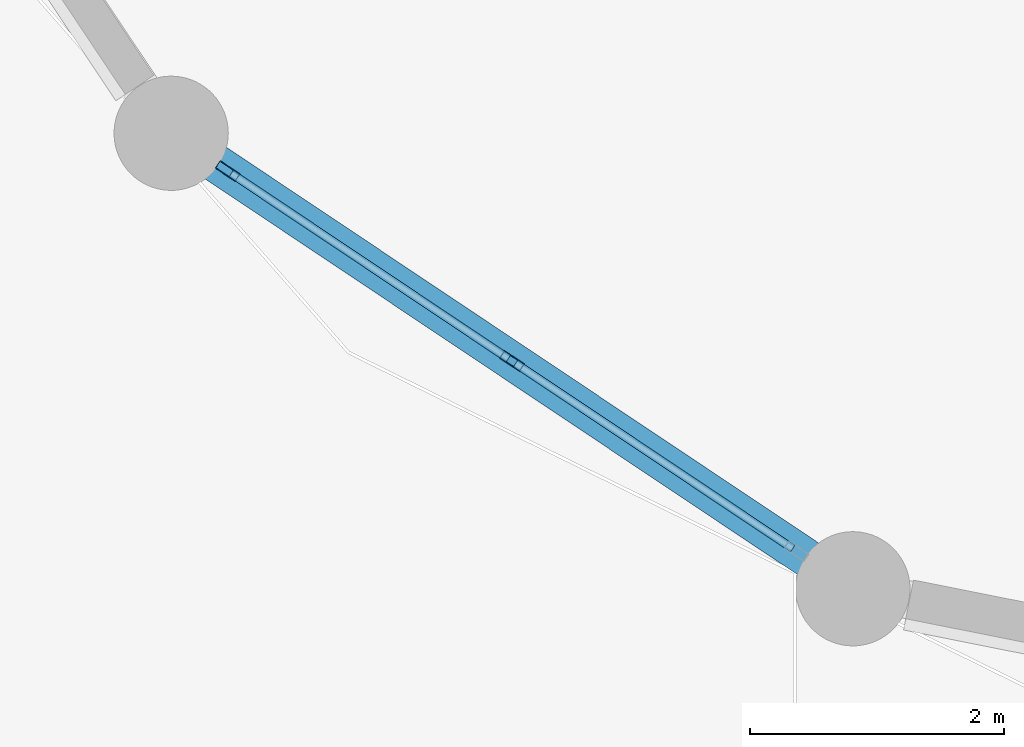
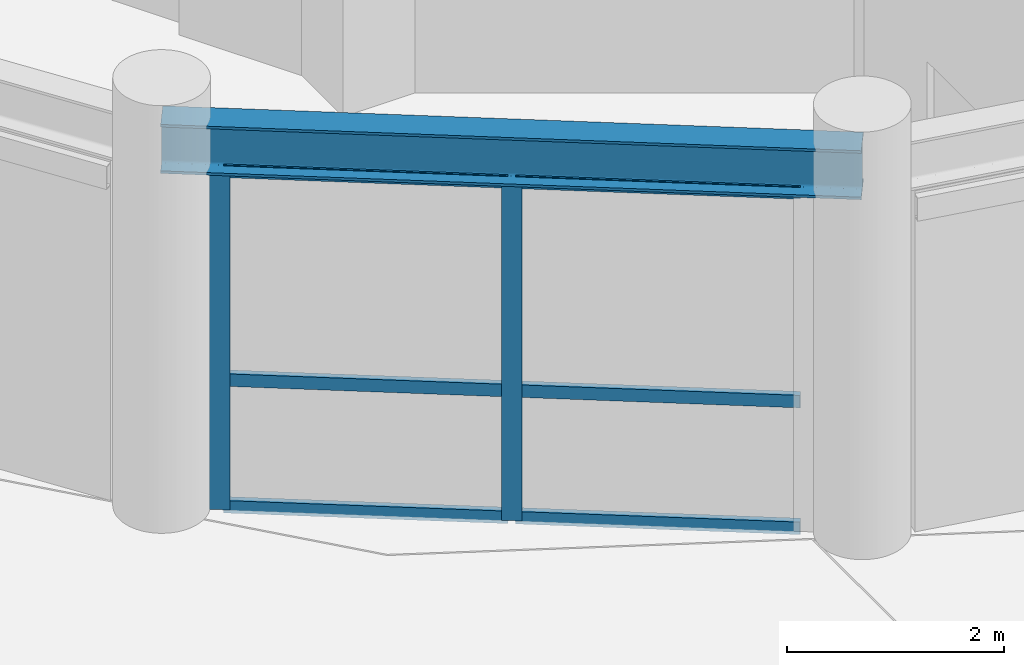
# One storey, part 11 of 40: 8 members, 1 beam, 1 element without a shape of its own.
"""IFC4 building model written with IfcOpenShell, lengths in metres."""

import ifcopenshell
import ifcopenshell.guid

model = None  # the IFC model being written
_history = None  # IfcOwnerHistory: only IFC2X3 demands one
_inside = {}  # id of a spatial element -> (the spatial element, [elements in it])
_under = {}  # id of a project, library or spatial element -> (it, [spatial elements below it])
_declared = {}  # id of a project -> (the project, [libraries it declares])
_typed = {}  # id of a type object -> (the type object, [elements of that type])
_made_of = {}  # id of a material, layer set ... -> (it, [elements and type objects made of it])


def new_model(schema):
    """Start an empty IFC model of exactly this schema.

    Asked for "IFC4X3", IfcOpenShell would pick the latest addendum, in which some entities
    have other attributes; the version numbers below select the first issue.
    IFC2X3 requires an IfcOwnerHistory on every rooted entity: one is made here for all.
    """
    global model, _history
    if schema == "IFC4X3":
        model = ifcopenshell.file(schema_version=(4, 3, 0, 0))
    else:
        model = ifcopenshell.file(schema=schema)
    _inside.clear()
    _under.clear()
    _declared.clear()
    _typed.clear()
    _made_of.clear()
    _history = None
    if model.schema == "IFC2X3":
        org = make("IfcOrganization", Name="unknown")
        user = make(
            "IfcPersonAndOrganization",
            ThePerson=make("IfcPerson", FamilyName="unknown"),
            TheOrganization=org,
        )
        app = make(
            "IfcApplication",
            ApplicationDeveloper=org,
            Version="unknown",
            ApplicationFullName="unknown",
            ApplicationIdentifier="unknown",
        )
        _history = make(
            "IfcOwnerHistory",
            OwningUser=user,
            OwningApplication=app,
            ChangeAction="ADDED",
            CreationDate=0,
        )
    return model


def make(cls, **values):
    """One entity of the class cls with the attributes given. An attribute that is None is left unset."""
    return model.create_entity(
        cls, **{name: value for name, value in values.items() if value is not None}
    )


def rooted(cls, **values):
    """An entity with a GlobalId (a new one), such as an element, a storey or a relation."""
    return make(cls, GlobalId=ifcopenshell.guid.new(), OwnerHistory=_history, **values)


def si_unit(unit_type, name, prefix=None):
    """IfcSIUnit, for example si_unit("LENGTHUNIT", "METRE", prefix="MILLI")."""
    return make("IfcSIUnit", UnitType=unit_type, Prefix=prefix, Name=name)


def derived_unit(unit_type, elements):
    """IfcDerivedUnit: a product of units, each with its exponent."""
    return make(
        "IfcDerivedUnit",
        Elements=[
            make("IfcDerivedUnitElement", Unit=unit, Exponent=power)
            for unit, power in elements
        ],
        UnitType=unit_type,
    )


def assignment(units):
    """IfcUnitAssignment: the units of a project."""
    return None if units is None else make("IfcUnitAssignment", Units=units)


def point(xyz):
    """IfcCartesianPoint."""
    return None if xyz is None else make("IfcCartesianPoint", Coordinates=xyz)


def direction(xyz):
    """IfcDirection."""
    return None if xyz is None else make("IfcDirection", DirectionRatios=xyz)


def frame(location, z_axis=None, x_axis=None):
    """IfcAxis2Placement3D, a coordinate frame: its origin and axes. An axis left out is left unset."""
    return make(
        "IfcAxis2Placement3D",
        Location=point(location),
        Axis=direction(z_axis),
        RefDirection=direction(x_axis),
    )


def frame_2d(location, x_axis=None):
    """IfcAxis2Placement2D, a coordinate frame in the plane: its origin and x axis."""
    return make(
        "IfcAxis2Placement2D", Location=point(location), RefDirection=direction(x_axis)
    )


def origin():
    """The frame at (0, 0, 0) with its axes left unset."""
    return frame((0.0, 0.0, 0.0))


def origin_2d():
    """The frame at (0, 0) in the plane with its x axis left unset."""
    return frame_2d((0.0, 0.0))


def place(relative_to, where):
    """IfcLocalPlacement: puts the frame where relative to a parent placement (None: the world)."""
    return make(
        "IfcLocalPlacement", PlacementRelTo=relative_to, RelativePlacement=where
    )


def context(
    kind, dimensions, precision=None, world=None, true_north=None, identifier=None
):
    """IfcGeometricRepresentationContext, for example the 3D "Model" context."""
    return make(
        "IfcGeometricRepresentationContext",
        ContextIdentifier=identifier,
        ContextType=kind,
        CoordinateSpaceDimension=dimensions,
        Precision=precision,
        WorldCoordinateSystem=world,
        TrueNorth=true_north,
    )


def subcontext(parent, identifier, kind, view, scale=None):
    """IfcGeometricRepresentationSubContext, for example "Body" below "Model"."""
    return make(
        "IfcGeometricRepresentationSubContext",
        ContextIdentifier=identifier,
        ContextType=kind,
        ParentContext=parent,
        TargetScale=scale,
        TargetView=view,
    )


def project(units=None, contexts=None):
    """IfcProject with its units and contexts."""
    return rooted(
        "IfcProject",
        Name="project",
        RepresentationContexts=contexts,
        UnitsInContext=assignment(units),
    )


def spatial(cls, under=None, at=None, **own):
    """A site, building, storey or space (cls), placed at a placement, below another one or the project."""
    s = rooted(cls, ObjectPlacement=at, **own)
    if under is not None:
        _under.setdefault(under.id(), (under, []))[1].append(s)
    return s


def profile(cls, at=None, kind="AREA", **sizes):
    """A parametric profile (cls). Its sizes go by their IFC names, for example OverallWidth=200.0."""
    return make(cls, ProfileType=kind, Position=at, **sizes)


def hollow_rectangle(**sizes):
    """IfcRectangleHollowProfileDef."""
    return profile("IfcRectangleHollowProfileDef", **sizes)


def i_section(**sizes):
    """IfcIShapeProfileDef."""
    return profile("IfcIShapeProfileDef", **sizes)


def extrude(swept, where, along, depth):
    """IfcExtrudedAreaSolid: the profile swept, set in the frame where, extruded along a direction by depth."""
    return make(
        "IfcExtrudedAreaSolid",
        SweptArea=swept,
        Position=where,
        ExtrudedDirection=direction(along),
        Depth=depth,
    )


def shape(context_of_items, identifier, shape_type, items):
    """IfcShapeRepresentation: the items that make up one representation, for example the "Body"."""
    return make(
        "IfcShapeRepresentation",
        ContextOfItems=context_of_items,
        RepresentationIdentifier=identifier,
        RepresentationType=shape_type,
        Items=items,
    )


def source(mapping_origin, context_of_items, identifier, shape_type, items):
    """IfcRepresentationMap: a shape defined once, which mapped items show again and again."""
    return make(
        "IfcRepresentationMap",
        MappingOrigin=mapping_origin,
        MappedRepresentation=shape(context_of_items, identifier, shape_type, items),
    )


def transform(
    local_origin,
    x_axis=None,
    y_axis=None,
    z_axis=None,
    scale=None,
    scale2=None,
    scale3=None,
    uniform=True,
):
    """IfcCartesianTransformationOperator3D, or its non-uniform kind. x_axis, y_axis, z_axis: its Axis1, 2, 3."""
    if uniform:
        return make(
            "IfcCartesianTransformationOperator3D",
            Axis1=direction(x_axis),
            Axis2=direction(y_axis),
            LocalOrigin=point(local_origin),
            Scale=scale,
            Axis3=direction(z_axis),
        )
    return make(
        "IfcCartesianTransformationOperator3DnonUniform",
        Axis1=direction(x_axis),
        Axis2=direction(y_axis),
        LocalOrigin=point(local_origin),
        Scale=scale,
        Axis3=direction(z_axis),
        Scale2=scale2,
        Scale3=scale3,
    )


def mapped(mapping_source, mapping_target):
    """IfcMappedItem: shows the shape of a source again, moved by a transform."""
    return make(
        "IfcMappedItem", MappingSource=mapping_source, MappingTarget=mapping_target
    )


def material(Name=None, Category=None):
    """IfcMaterial."""
    return make("IfcMaterial", Name=Name, Category=Category)


def layer(
    of_material, thickness, ventilated=None, Name=None, Category=None, Priority=None
):
    """IfcMaterialLayer: one layer of a wall or slab, of a material (None: an air gap)."""
    return make(
        "IfcMaterialLayer",
        Material=of_material,
        LayerThickness=thickness,
        IsVentilated=ventilated,
        Name=Name,
        Category=Category,
        Priority=Priority,
    )


def layer_set(layers, Name=None):
    """IfcMaterialLayerSet."""
    return make("IfcMaterialLayerSet", MaterialLayers=layers, LayerSetName=Name)


def material_profile(
    of_material, cross_section, Name=None, Category=None, Priority=None
):
    """IfcMaterialProfile: a cross section and its material."""
    return make(
        "IfcMaterialProfile",
        Name=Name,
        Material=of_material,
        Profile=cross_section,
        Priority=Priority,
        Category=Category,
    )


def profile_set(profiles, Name=None, composite=None):
    """IfcMaterialProfileSet."""
    return make(
        "IfcMaterialProfileSet",
        Name=Name,
        MaterialProfiles=profiles,
        CompositeProfile=composite,
    )


def made_of(thing, what):
    """Note that an element or type object is made of a material, layer set ...; save() writes the relation."""
    if what is not None:
        _made_of.setdefault(what.id(), (what, []))[1].append(thing)
    return thing


def type_object(cls, material=None, **own):
    """A type object (cls), such as IfcWallType, which elements share."""
    return made_of(rooted(cls, **own), material)


def element(
    cls,
    number,
    at=None,
    inside=None,
    cuts=None,
    type_object=None,
    material=None,
    context=None,
    identifier="Body",
    shape_type=None,
    held_by="IfcProductDefinitionShape",
    body=None,
    shapes=None,
    **own,
):
    """One element of the class cls, such as IfcWall. Its Tag is "e" and its number.

    at: its placement. inside: the storey or other place that contains it. cuts: it is an
    opening in that element (IfcRelVoidsElement). A single representation is given by context,
    identifier, shape_type and body (its items); several are given by shapes. held_by: the class
    of the entity that holds the representations. save() writes the other relations.
    """
    e = rooted(cls, Tag="e%d" % number, ObjectPlacement=at, **own)
    if body is not None:
        shapes = [shape(context, identifier, shape_type, body)]
    if shapes is not None:
        e.Representation = make(held_by, Representations=shapes)
    if inside is not None:
        _inside.setdefault(inside.id(), (inside, []))[1].append(e)
    if cuts is not None:
        rooted(
            "IfcRelVoidsElement", RelatingBuildingElement=cuts, RelatedOpeningElement=e
        )
    if type_object is not None:
        _typed.setdefault(type_object.id(), (type_object, []))[1].append(e)
    return made_of(e, material)


def aggregate(whole, parts):
    """IfcRelAggregates: a whole, such as a stair, and the parts it consists of."""
    return rooted("IfcRelAggregates", RelatingObject=whole, RelatedObjects=parts)


def save(model, path):
    """Write the relations noted so far, then the file.

    IfcRelAggregates (storeys below a building ...), IfcRelContainedInSpatialStructure (elements
    in a storey), IfcRelDefinesByType, IfcRelAssociatesMaterial and IfcRelDeclares: one each for
    every whole, place, type object, material and project.
    """
    for whole, parts in _under.values():
        aggregate(whole, parts)
    for where, things in _inside.values():
        rooted(
            "IfcRelContainedInSpatialStructure",
            RelatedElements=things,
            RelatingStructure=where,
        )
    for kind, things in _typed.values():
        rooted("IfcRelDefinesByType", RelatedObjects=things, RelatingType=kind)
    for what, things in _made_of.values():
        rooted("IfcRelAssociatesMaterial", RelatedObjects=things, RelatingMaterial=what)
    for by, libraries in _declared.values():
        rooted("IfcRelDeclares", RelatingContext=by, RelatedDefinitions=libraries)
    model.write(path)


model = new_model("IFC4")

# Units and contexts
model_context = context("Model", 3, precision=1e-05, world=origin(), true_north=direction((0.0, 1.0)))
body_context = subcontext(model_context, "Body", "Model", "MODEL_VIEW")
ifc_project = project(units=[si_unit("LENGTHUNIT", "METRE"), si_unit("AREAUNIT", "SQUARE_METRE"), si_unit("VOLUMEUNIT", "CUBIC_METRE"), si_unit("PLANEANGLEUNIT", "RADIAN"), si_unit("MASSUNIT", "GRAM", prefix="KILO"), derived_unit("THERMALTRANSMITTANCEUNIT", [(si_unit("POWERUNIT", "WATT"), 1), (si_unit("LENGTHUNIT", "METRE"), -2), (si_unit("THERMODYNAMICTEMPERATUREUNIT", "KELVIN"), -1)])], contexts=[model_context])

# Site, building, storey
site_placement = place(None, origin())
site = spatial("IfcSite", under=ifc_project, at=site_placement, CompositionType="ELEMENT")
building_placement = place(site_placement, origin())
building = spatial("IfcBuilding", under=site, at=building_placement, Name="Korsvarv Bourse and Concert Hall", CompositionType="ELEMENT")
storey_placement = place(building_placement, origin())
storey = spatial("IfcBuildingStorey", under=building, at=storey_placement, Name="L00", CompositionType="ELEMENT", Elevation=0.0)

# Beam
ifc_material_1 = material(Name="Steel S355", Category="steel")
ifc_material_profile_1 = material_profile(ifc_material_1, i_section(OverallWidth=0.300048828125, OverallDepth=0.550048828125, WebThickness=0.014892578125, FlangeThickness=0.029052734375, FilletRadius=0.02392578125, at=origin_2d()), Name="HEB 550")
ifc_profile_set_1 = profile_set([ifc_material_profile_1], Name="Steel S355")
beam_type = type_object("IfcBeamType", Name="BM-HEB550", PredefinedType="BEAM", material=ifc_profile_set_1)
shared_shape_1 = source(origin(), body_context, "Body", "SweptSolid", [
    extrude(i_section(OverallWidth=0.300048828125, OverallDepth=0.550048828125, WebThickness=0.014892578125, FlangeThickness=0.029052734375, FilletRadius=0.02392578125, at=origin_2d()), origin(), (0.0, 0.0, 1.0), 6.45751953125),
])
beam_placement = place(storey_placement, frame((95.097412109375, 24.29736328125, 4.10498046875), z_axis=(0.83146235745, -0.55558109052, 0.0), x_axis=(0.55558109052, 0.83146235745, 0.0)))
element("IfcBeam", 1, at=beam_placement, inside=storey, type_object=beam_type, Name="L00 beam B-06", PredefinedType="BEAM", context=body_context, shape_type="MappedRepresentation", body=[
    mapped(shared_shape_1, transform((0.0, 0.0, 0.0), scale=1.0)),
])

# Curtain wall, members
ifc_material_2 = material(Name="Anodised aluminium and triple low-E glazing", Category="glass")
ifc_layer = layer(ifc_material_2, 0.22998046875)
ifc_layer_set = layer_set([ifc_layer], Name="Anodised aluminium and triple low-E glazing")
curtain_wall_type = type_object("IfcCurtainWallType", Name="CW-SYS-6", PredefinedType="NOTDEFINED", material=ifc_layer_set)
curtain_wall_placement = place(storey_placement, origin())
curtain_wall = element("IfcCurtainWall", 2, at=curtain_wall_placement, inside=storey, type_object=curtain_wall_type, Name="L00 CW6 curtain wall CW-L00-CH11", PredefinedType="NOTDEFINED")
ifc_material_3 = material(Name="Extruded aluminium EN AW-6063 T66", Category="aluminium")
ifc_material_profile_2 = material_profile(ifc_material_3, hollow_rectangle(XDim=0.070068359375, YDim=0.18994140625, WallThickness=0.0048828125, at=origin_2d()), Name="ALU-M 70x190")
ifc_profile_set_2 = profile_set([ifc_material_profile_2], Name="Extruded aluminium EN AW-6063 T66")
member_type_1 = type_object("IfcMemberType", Name="CWM-190", PredefinedType="MULLION", material=ifc_profile_set_2)
shared_shape_2 = source(origin(), body_context, "Body", "SweptSolid", [
    extrude(hollow_rectangle(XDim=0.070068359375, YDim=0.18994140625, WallThickness=0.0048828125, at=origin_2d()), origin(), (0.0, 0.0, 1.0), 3.830078125),
])
member_1_placement = place(storey_placement, frame((95.54248046875, 24.0, 0.0), z_axis=(0.0, 0.0, 1.0), x_axis=(0.555571024599, 0.831469083386, 0.0)))
member_1 = element("IfcMember", 3, at=member_1_placement, type_object=member_type_1, Name="CW6 mullion 1", PredefinedType="MULLION", context=body_context, shape_type="MappedRepresentation", body=[
    mapped(shared_shape_2, transform((0.0, 0.0, 0.0), scale=1.0)),
])
member_2_placement = place(storey_placement, frame((97.781982421875, 22.503662109375, 0.0), z_axis=(0.0, 0.0, 1.0), x_axis=(0.555571024599, 0.831469083386, 0.0)))
member_2 = element("IfcMember", 4, at=member_2_placement, type_object=member_type_1, Name="CW6 mullion 2", PredefinedType="MULLION", context=body_context, shape_type="MappedRepresentation", body=[
    mapped(shared_shape_2, transform((0.0, 0.0, 0.0), scale=1.0)),
])
ifc_material_profile_3 = material_profile(ifc_material_3, hollow_rectangle(XDim=0.06494140625, YDim=0.139892578125, WallThickness=0.00390625, at=origin_2d()), Name="ALU-T 65x140")
ifc_profile_set_3 = profile_set([ifc_material_profile_3], Name="Extruded aluminium EN AW-6063 T66")
member_type_2 = type_object("IfcMemberType", Name="CWT-140", PredefinedType="USERDEFINED", material=ifc_profile_set_3)
shared_shape_3 = source(origin(), body_context, "Body", "SweptSolid", [
    extrude(hollow_rectangle(XDim=0.06494140625, YDim=0.139892578125, WallThickness=0.00390625, at=origin_2d()), origin(), (0.0, 0.0, 1.0), 2.62353515625),
])
member_3_placement = place(storey_placement, frame((95.571533203125, 23.980712890625, 0.032470703125), z_axis=(0.831434196411, -0.55562323299, 0.0), x_axis=(0.55562323299, 0.831434196411, 0.0)))
member_3 = element("IfcMember", 5, at=member_3_placement, type_object=member_type_2, Name="CW6 transom 1.1", ObjectType="TRANSOM", PredefinedType="USERDEFINED", context=body_context, shape_type="MappedRepresentation", body=[
    mapped(shared_shape_3, transform((0.0, 0.0, 0.0), scale=1.0)),
])
member_4_placement = place(storey_placement, frame((95.571533203125, 23.980712890625, 1.455322265625), z_axis=(0.831434196411, -0.55562323299, 0.0), x_axis=(0.55562323299, 0.831434196411, 0.0)))
member_4 = element("IfcMember", 6, at=member_4_placement, type_object=member_type_2, Name="CW6 transom 1.2", ObjectType="TRANSOM", PredefinedType="USERDEFINED", context=body_context, shape_type="MappedRepresentation", body=[
    mapped(shared_shape_3, transform((0.0, 0.0, 0.0), scale=1.0)),
])
member_5_placement = place(storey_placement, frame((95.571533203125, 23.980712890625, 3.797607421875), z_axis=(0.831434196411, -0.55562323299, 0.0), x_axis=(0.55562323299, 0.831434196411, 0.0)))
member_5 = element("IfcMember", 7, at=member_5_placement, type_object=member_type_2, Name="CW6 transom 1.3", ObjectType="TRANSOM", PredefinedType="USERDEFINED", context=body_context, shape_type="MappedRepresentation", body=[
    mapped(shared_shape_3, transform((0.0, 0.0, 0.0), scale=1.0)),
])
member_6_placement = place(storey_placement, frame((97.81103515625, 22.484130859375, 0.032470703125), z_axis=(0.831477183587, -0.555558901624, 0.0), x_axis=(0.555558901624, 0.831477183587, 0.0)))
member_6 = element("IfcMember", 8, at=member_6_placement, type_object=member_type_2, Name="CW6 transom 2.1", ObjectType="TRANSOM", PredefinedType="USERDEFINED", context=body_context, shape_type="MappedRepresentation", body=[
    mapped(shared_shape_3, transform((0.0, 0.0, 0.0), scale=1.0)),
])
member_7_placement = place(storey_placement, frame((97.81103515625, 22.484130859375, 1.455322265625), z_axis=(0.831477183587, -0.555558901624, 0.0), x_axis=(0.555558901624, 0.831477183587, 0.0)))
member_7 = element("IfcMember", 9, at=member_7_placement, type_object=member_type_2, Name="CW6 transom 2.2", ObjectType="TRANSOM", PredefinedType="USERDEFINED", context=body_context, shape_type="MappedRepresentation", body=[
    mapped(shared_shape_3, transform((0.0, 0.0, 0.0), scale=1.0)),
])
member_8_placement = place(storey_placement, frame((97.81103515625, 22.484130859375, 3.797607421875), z_axis=(0.831477183587, -0.555558901624, 0.0), x_axis=(0.555558901624, 0.831477183587, 0.0)))
member_8 = element("IfcMember", 10, at=member_8_placement, type_object=member_type_2, Name="CW6 transom 2.3", ObjectType="TRANSOM", PredefinedType="USERDEFINED", context=body_context, shape_type="MappedRepresentation", body=[
    mapped(shared_shape_3, transform((0.0, 0.0, 0.0), scale=1.0)),
])
aggregate(curtain_wall, [member_1, member_2, member_3, member_4, member_5, member_6, member_7, member_8])

save(model, "model.ifc")
